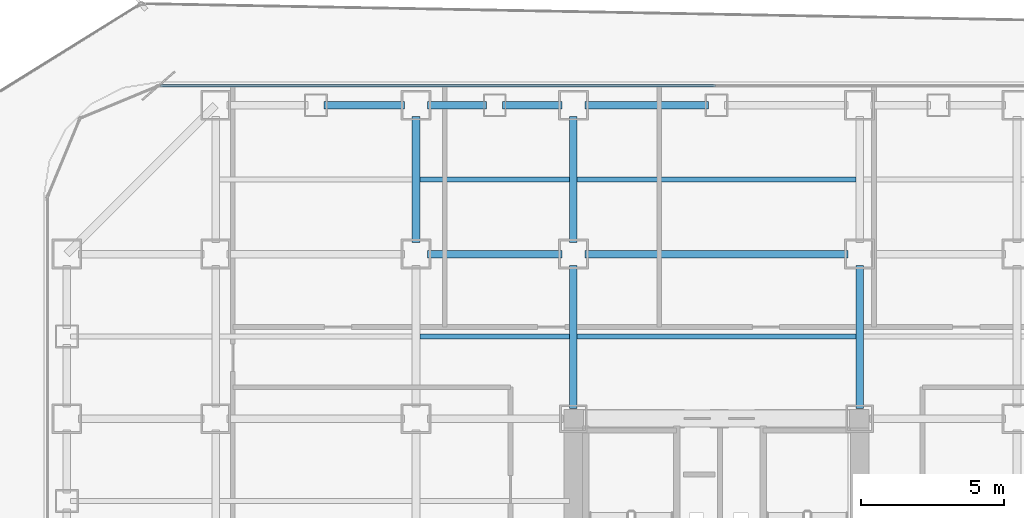
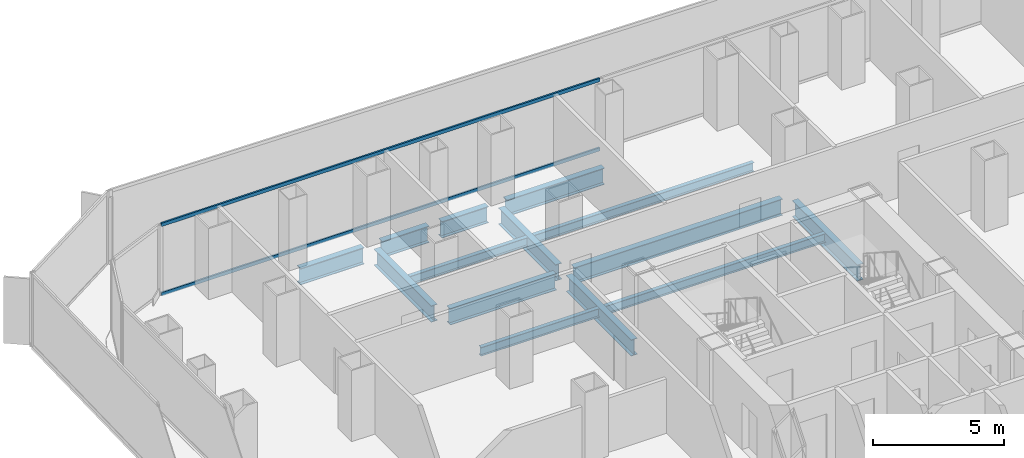
# One storey, part 12 of 22: 14 beams, 2 members, 1 element without a shape of its own.
"""IFC4 building model written with IfcOpenShell, lengths in metres."""

from ifc_helpers import new_model, si_unit, direction, frame, origin, origin_2d, place, context, subcontext, project, spatial, hollow_rectangle, i_section, extrude, source, transform, mapped, material, layer, layer_set, material_profile, profile_set, type_object, element, aggregate, save


model = new_model("IFC4")

# Units and contexts
model_context = context("Model", 3, precision=1e-05, world=origin(), true_north=direction((0.0, 1.0)))
body_context = subcontext(model_context, "Body", "Model", "MODEL_VIEW")
ifc_project = project(units=[si_unit("LENGTHUNIT", "METRE"), si_unit("AREAUNIT", "SQUARE_METRE"), si_unit("VOLUMEUNIT", "CUBIC_METRE"), si_unit("PLANEANGLEUNIT", "RADIAN"), si_unit("MASSUNIT", "GRAM", prefix="KILO")], contexts=[model_context])

# Site, building, storey
site_placement = place(None, origin())
site = spatial("IfcSite", under=ifc_project, at=site_placement, CompositionType="ELEMENT")
building_placement = place(site_placement, origin())
building = spatial("IfcBuilding", under=site, at=building_placement, Name="Kolveth Station Tower", CompositionType="ELEMENT")
storey_placement = place(building_placement, frame((0.0, 0.0, 81.0)))
storey = spatial("IfcBuildingStorey", under=building, at=storey_placement, Name="L21", CompositionType="ELEMENT", Elevation=81.0)

# Beams
ifc_material_1 = material(Name="Steel S355", Category="steel")
ifc_material_profile_1 = material_profile(ifc_material_1, i_section(OverallWidth=0.26904296875, OverallDepth=0.77490234375, WebThickness=0.01708984375, FlangeThickness=0.0283203125, at=origin_2d()), Name="W760x220")
ifc_profile_set_1 = profile_set([ifc_material_profile_1], Name="Steel S355")
beam_type_1 = type_object("IfcBeamType", Name="Beam_SP1", PredefinedType="SPANDREL", material=ifc_profile_set_1)
shared_shape_1 = source(origin(), body_context, "Body", "SweptSolid", [
    extrude(i_section(OverallWidth=0.26904296875, OverallDepth=0.77490234375, WebThickness=0.01708984375, FlangeThickness=0.0283203125, at=origin_2d()), origin(), (0.0, 0.0, 1.0), 2.820068359375),
])
beam_1_placement = place(storey_placement, frame((9.780029296875, 39.699951171875, -0.66748046875), z_axis=(1.0, 0.0, 0.0), x_axis=(0.0, 1.0, 0.0)))
element("IfcBeam", 1, at=beam_1_placement, inside=storey, type_object=beam_type_1, Name="L21 Perimeter Spandrel BM-L21-PN-2", PredefinedType="SPANDREL", context=body_context, shape_type="MappedRepresentation", body=[
    mapped(shared_shape_1, transform((0.0, 0.0, 0.0), x_axis=(1.0, 0.0, 0.0), y_axis=(0.0, 1.0, 0.0), z_axis=(0.0, 0.0, 1.0), scale=1.0)),
])
shared_shape_2 = source(origin(), body_context, "Body", "SweptSolid", [
    extrude(i_section(OverallWidth=0.26904296875, OverallDepth=0.77490234375, WebThickness=0.01708984375, FlangeThickness=0.0283203125, at=origin_2d()), origin(), (0.0, 0.0, 1.0), 2.070068359375),
])
for number, where, z_axis, x_axis, name in (
    (2, (13.39990234375, 39.699951171875, -0.66748046875), (1.0, 0.0, 0.0), (0.0, 1.0, 0.0), "L21 Perimeter Spandrel BM-L21-PN-3"),
    (3, (16.030029296875, 39.699951171875, -0.66748046875), (1.0, 0.0, 0.0), (0.0, 1.0, 0.0), "L21 Perimeter Spandrel BM-L21-PN-4"),
):
    element("IfcBeam", number, at=place(storey_placement, frame(where, z_axis=z_axis, x_axis=x_axis)), inside=storey, type_object=beam_type_1, Name=name, PredefinedType="SPANDREL", context=body_context, shape_type="MappedRepresentation", body=[
        mapped(shared_shape_2, transform((0.0, 0.0, 0.0), x_axis=(1.0, 0.0, 0.0), y_axis=(0.0, 1.0, 0.0), z_axis=(0.0, 0.0, 1.0), scale=1.0)),
    ])
shared_shape_3 = source(origin(), body_context, "Body", "SweptSolid", [
    extrude(i_section(OverallWidth=0.26904296875, OverallDepth=0.77490234375, WebThickness=0.01708984375, FlangeThickness=0.0283203125, at=origin_2d()), origin(), (0.0, 0.0, 1.0), 4.320068359375),
])
beam_2_placement = place(storey_placement, frame((18.89990234375, 39.699951171875, -0.66748046875), z_axis=(1.0, 0.0, 0.0), x_axis=(0.0, 1.0, 0.0)))
element("IfcBeam", 4, at=beam_2_placement, inside=storey, type_object=beam_type_1, Name="L21 Perimeter Spandrel BM-L21-PN-5", PredefinedType="SPANDREL", context=body_context, shape_type="MappedRepresentation", body=[
    mapped(shared_shape_3, transform((0.0, 0.0, 0.0), x_axis=(1.0, 0.0, 0.0), y_axis=(0.0, 1.0, 0.0), z_axis=(0.0, 0.0, 1.0), scale=1.0)),
])
ifc_material_profile_2 = material_profile(ifc_material_1, i_section(OverallWidth=0.26708984375, OverallDepth=0.76611328125, WebThickness=0.014892578125, FlangeThickness=0.023681640625, at=origin_2d()), Name="W760x185")
ifc_profile_set_2 = profile_set([ifc_material_profile_2], Name="Steel S355")
beam_type_2 = type_object("IfcBeamType", Name="Beam_B3", PredefinedType="BEAM", material=ifc_profile_set_2)
shared_shape_4 = source(origin(), body_context, "Body", "SweptSolid", [
    extrude(i_section(OverallWidth=0.26708984375, OverallDepth=0.76611328125, WebThickness=0.014892578125, FlangeThickness=0.023681640625, at=origin_2d()), origin(), (0.0, 0.0, 1.0), 4.400146484375),
])
for number, where, z_axis, x_axis, name in (
    (5, (13.0, 34.89990234375, -0.6630859375), (0.0, 1.0, 0.0), (-1.0, 0.0, 0.0), "L21 Primary Girder BM-L21-GX130-7"),
    (6, (18.5, 34.89990234375, -0.6630859375), (0.0, 1.0, 0.0), (-1.0, 0.0, 0.0), "L21 Primary Girder BM-L21-GX185-7"),
):
    element("IfcBeam", number, at=place(storey_placement, frame(where, z_axis=z_axis, x_axis=x_axis)), inside=storey, type_object=beam_type_2, Name=name, PredefinedType="BEAM", context=body_context, shape_type="MappedRepresentation", body=[
        mapped(shared_shape_4, transform((0.0, 0.0, 0.0), x_axis=(1.0, 0.0, 0.0), y_axis=(0.0, 1.0, 0.0), z_axis=(0.0, 0.0, 1.0), scale=1.0)),
    ])
shared_shape_5 = source(origin(), body_context, "Body", "SweptSolid", [
    extrude(i_section(OverallWidth=0.26708984375, OverallDepth=0.76611328125, WebThickness=0.014892578125, FlangeThickness=0.023681640625, at=origin_2d()), origin(), (0.0, 0.0, 1.0), 4.7001953125),
])
beam_3_placement = place(storey_placement, frame((13.39990234375, 34.5, -0.6630859375), z_axis=(1.0, 0.0, 0.0), x_axis=(0.0, 1.0, 0.0)))
element("IfcBeam", 7, at=beam_3_placement, inside=storey, type_object=beam_type_2, Name="L21 Primary Girder BM-L21-GY345-3", PredefinedType="BEAM", context=body_context, shape_type="MappedRepresentation", body=[
    mapped(shared_shape_5, transform((0.0, 0.0, 0.0), x_axis=(1.0, 0.0, 0.0), y_axis=(0.0, 1.0, 0.0), z_axis=(0.0, 0.0, 1.0), scale=1.0)),
])
shared_shape_6 = source(origin(), body_context, "Body", "SweptSolid", [
    extrude(i_section(OverallWidth=0.26708984375, OverallDepth=0.76611328125, WebThickness=0.014892578125, FlangeThickness=0.023681640625, at=origin_2d()), origin(), (0.0, 0.0, 1.0), 9.2001953125),
])
beam_4_placement = place(storey_placement, frame((18.89990234375, 34.5, -0.6630859375), z_axis=(1.0, 0.0, 0.0), x_axis=(0.0, 1.0, 0.0)))
element("IfcBeam", 8, at=beam_4_placement, inside=storey, type_object=beam_type_2, Name="L21 Primary Girder BM-L21-GY345-4", PredefinedType="BEAM", context=body_context, shape_type="MappedRepresentation", body=[
    mapped(shared_shape_6, transform((0.0, 0.0, 0.0), x_axis=(1.0, 0.0, 0.0), y_axis=(0.0, 1.0, 0.0), z_axis=(0.0, 0.0, 1.0), scale=1.0)),
])
shared_shape_7 = source(origin(), body_context, "Body", "SweptSolid", [
    extrude(i_section(OverallWidth=0.26708984375, OverallDepth=0.76611328125, WebThickness=0.014892578125, FlangeThickness=0.023681640625, at=origin_2d()), origin(), (0.0, 0.0, 1.0), 4.989990234375),
])
for number, where, z_axis, x_axis, name in (
    (9, (18.5, 29.110107421875, -0.6630859375), (0.0, 1.0, 0.0), (-1.0, 0.0, 0.0), "L21 Primary Girder BM-L21-GX185-6"),
    (10, (28.5, 29.110107421875, -0.6630859375), (0.0, 1.0, 0.0), (-1.0, 0.0, 0.0), "L21 Primary Girder BM-L21-GX285-6"),
):
    element("IfcBeam", number, at=place(storey_placement, frame(where, z_axis=z_axis, x_axis=x_axis)), inside=storey, type_object=beam_type_2, Name=name, PredefinedType="BEAM", context=body_context, shape_type="MappedRepresentation", body=[
        mapped(shared_shape_7, transform((0.0, 0.0, 0.0), x_axis=(1.0, 0.0, 0.0), y_axis=(0.0, 1.0, 0.0), z_axis=(0.0, 0.0, 1.0), scale=1.0)),
    ])
ifc_material_profile_3 = material_profile(ifc_material_1, i_section(OverallWidth=0.177978515625, OverallDepth=0.406982421875, WebThickness=0.0078125, FlangeThickness=0.0126953125, at=origin_2d()), Name="W410x60")
ifc_profile_set_3 = profile_set([ifc_material_profile_3], Name="Steel S355")
beam_type_3 = type_object("IfcBeamType", Name="Beam_J1", PredefinedType="JOIST", material=ifc_profile_set_3)
shared_shape_8 = source(origin(), body_context, "Body", "SweptSolid", [
    extrude(i_section(OverallWidth=0.177978515625, OverallDepth=0.406982421875, WebThickness=0.0078125, FlangeThickness=0.0126953125, at=origin_2d()), origin(), (0.0, 0.0, 1.0), 5.23681640625),
])
for number, where, z_axis, x_axis, name in (
    (11, (13.131591796875, 31.625, -0.4833984375), (1.0, 0.0, 0.0), (0.0, 1.0, 0.0), "L21 Secondary Joist JST-L21-3-6"),
    (12, (13.131591796875, 37.10009765625, -0.4833984375), (1.0, 0.0, 0.0), (0.0, 1.0, 0.0), "L21 Secondary Joist JST-L21-3-7"),
):
    element("IfcBeam", number, at=place(storey_placement, frame(where, z_axis=z_axis, x_axis=x_axis)), inside=storey, type_object=beam_type_3, Name=name, PredefinedType="JOIST", context=body_context, shape_type="MappedRepresentation", body=[
        mapped(shared_shape_8, transform((0.0, 0.0, 0.0), x_axis=(1.0, 0.0, 0.0), y_axis=(0.0, 1.0, 0.0), z_axis=(0.0, 0.0, 1.0), scale=1.0)),
    ])
shared_shape_9 = source(origin(), body_context, "Body", "SweptSolid", [
    extrude(i_section(OverallWidth=0.177978515625, OverallDepth=0.406982421875, WebThickness=0.0078125, FlangeThickness=0.0126953125, at=origin_2d()), origin(), (0.0, 0.0, 1.0), 9.73681640625),
])
for number, where, z_axis, x_axis, name in (
    (13, (18.631591796875, 31.625, -0.4833984375), (1.0, 0.0, 0.0), (0.0, 1.0, 0.0), "L21 Secondary Joist JST-L21-4-6"),
    (14, (18.631591796875, 37.10009765625, -0.4833984375), (1.0, 0.0, 0.0), (0.0, 1.0, 0.0), "L21 Secondary Joist JST-L21-4-7"),
):
    element("IfcBeam", number, at=place(storey_placement, frame(where, z_axis=z_axis, x_axis=x_axis)), inside=storey, type_object=beam_type_3, Name=name, PredefinedType="JOIST", context=body_context, shape_type="MappedRepresentation", body=[
        mapped(shared_shape_9, transform((0.0, 0.0, 0.0), x_axis=(1.0, 0.0, 0.0), y_axis=(0.0, 1.0, 0.0), z_axis=(0.0, 0.0, 1.0), scale=1.0)),
    ])

# Curtain wall, members
ifc_material_2 = material(Name="Aluminium 6063-T6 and low-E dark glass", Category="aluminium")
ifc_layer = layer(ifc_material_2, 0.179931640625)
ifc_layer_set = layer_set([ifc_layer], Name="Aluminium 6063-T6 and low-E dark glass")
curtain_wall_type = type_object("IfcCurtainWallType", Name="CurtainWall_CW-Z1", PredefinedType="NOTDEFINED", material=ifc_layer_set)
curtain_wall_placement = place(storey_placement, origin())
curtain_wall = element("IfcCurtainWall", 15, at=curtain_wall_placement, inside=storey, type_object=curtain_wall_type, Name="L21 Inner Thermal Curtain Wall 6", PredefinedType="NOTDEFINED")
ifc_material_3 = material(Name="Black anodized aluminium 6063-T6", Category="aluminium")
ifc_material_profile_4 = material_profile(ifc_material_3, hollow_rectangle(XDim=0.074951171875, YDim=0.159912109375, WallThickness=0.0048828125, at=origin_2d()), Name="ALU-75x160x5")
ifc_profile_set_4 = profile_set([ifc_material_profile_4], Name="Black anodized aluminium 6063-T6")
member_type = type_object("IfcMemberType", Name="Transom_TR1", PredefinedType="USERDEFINED", material=ifc_profile_set_4)
shared_shape_10 = source(origin(), body_context, "Body", "SweptSolid", [
    extrude(hollow_rectangle(XDim=0.074951171875, YDim=0.159912109375, WallThickness=0.0048828125, at=origin_2d()), origin(), (0.0, 0.0, 1.0), 19.387451171875),
])
member_1_placement = place(storey_placement, frame((23.46240234375, 40.3798828125, 0.03759765625), z_axis=(-1.0, 0.0, 0.0), x_axis=(0.0, -1.0, 0.0)))
member_1 = element("IfcMember", 16, at=member_1_placement, type_object=member_type, Name="CW-Z1 transom 2.1", ObjectType="TRANSOM", PredefinedType="USERDEFINED", context=body_context, shape_type="MappedRepresentation", body=[
    mapped(shared_shape_10, transform((0.0, 0.0, 0.0), x_axis=(1.0, 0.0, 0.0), y_axis=(0.0, 1.0, 0.0), z_axis=(0.0, 0.0, 1.0), scale=1.0)),
])
member_2_placement = place(storey_placement, frame((23.46240234375, 40.3798828125, 3.282470703125), z_axis=(-1.0, 0.0, 0.0), x_axis=(0.0, -1.0, 0.0)))
member_2 = element("IfcMember", 17, at=member_2_placement, type_object=member_type, Name="CW-Z1 transom 2.2", ObjectType="TRANSOM", PredefinedType="USERDEFINED", context=body_context, shape_type="MappedRepresentation", body=[
    mapped(shared_shape_10, transform((0.0, 0.0, 0.0), x_axis=(1.0, 0.0, 0.0), y_axis=(0.0, 1.0, 0.0), z_axis=(0.0, 0.0, 1.0), scale=1.0)),
])
aggregate(curtain_wall, [member_1, member_2])

save(model, "model.ifc")
